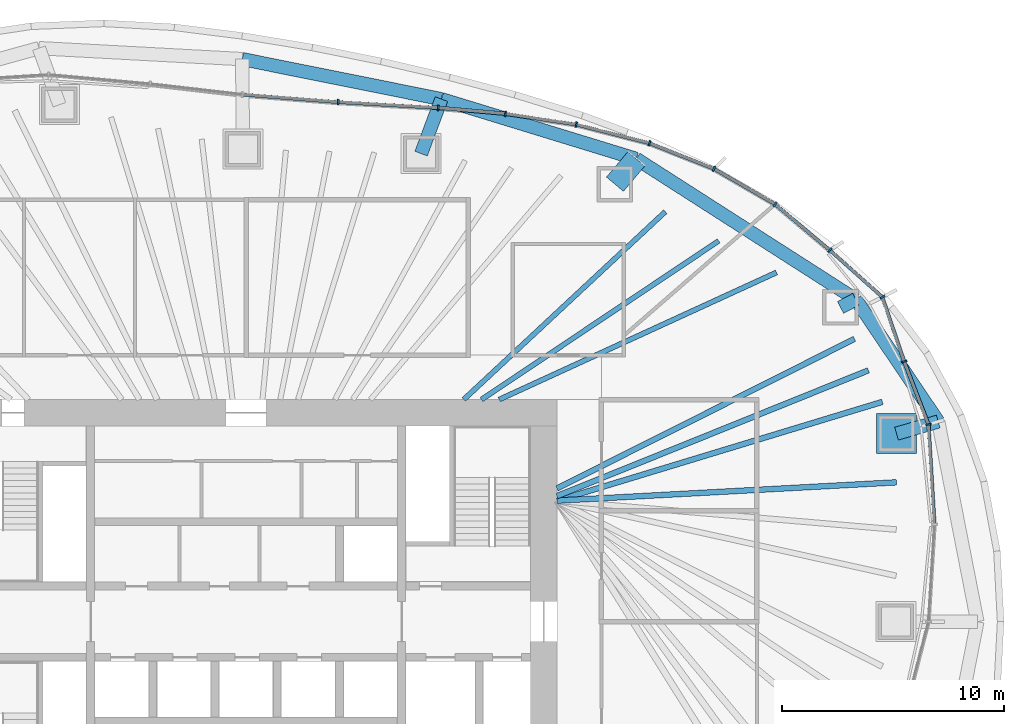
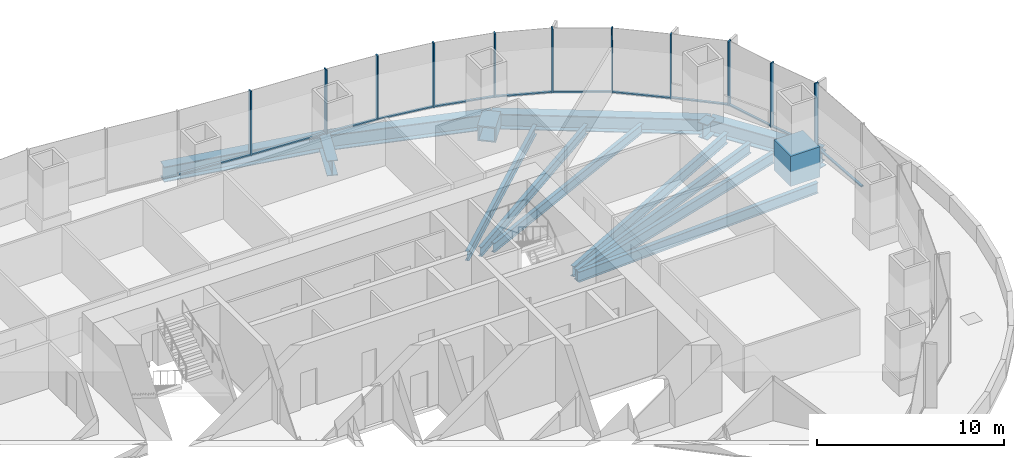
# One storey, part 6 of 20: 24 members, 15 beams, 5 elements without a shape of their own.
"""IFC4 building model written with IfcOpenShell, lengths in metres."""

import ifcopenshell
import ifcopenshell.guid

model = None  # the IFC model being written
_history = None  # IfcOwnerHistory: only IFC2X3 demands one
_inside = {}  # id of a spatial element -> (the spatial element, [elements in it])
_under = {}  # id of a project, library or spatial element -> (it, [spatial elements below it])
_declared = {}  # id of a project -> (the project, [libraries it declares])
_typed = {}  # id of a type object -> (the type object, [elements of that type])
_made_of = {}  # id of a material, layer set ... -> (it, [elements and type objects made of it])


def new_model(schema):
    """Start an empty IFC model of exactly this schema.

    Asked for "IFC4X3", IfcOpenShell would pick the latest addendum, in which some entities
    have other attributes; the version numbers below select the first issue.
    IFC2X3 requires an IfcOwnerHistory on every rooted entity: one is made here for all.
    """
    global model, _history
    if schema == "IFC4X3":
        model = ifcopenshell.file(schema_version=(4, 3, 0, 0))
    else:
        model = ifcopenshell.file(schema=schema)
    _inside.clear()
    _under.clear()
    _declared.clear()
    _typed.clear()
    _made_of.clear()
    _history = None
    if model.schema == "IFC2X3":
        org = make("IfcOrganization", Name="unknown")
        user = make(
            "IfcPersonAndOrganization",
            ThePerson=make("IfcPerson", FamilyName="unknown"),
            TheOrganization=org,
        )
        app = make(
            "IfcApplication",
            ApplicationDeveloper=org,
            Version="unknown",
            ApplicationFullName="unknown",
            ApplicationIdentifier="unknown",
        )
        _history = make(
            "IfcOwnerHistory",
            OwningUser=user,
            OwningApplication=app,
            ChangeAction="ADDED",
            CreationDate=0,
        )
    return model


def make(cls, **values):
    """One entity of the class cls with the attributes given. An attribute that is None is left unset."""
    return model.create_entity(
        cls, **{name: value for name, value in values.items() if value is not None}
    )


def rooted(cls, **values):
    """An entity with a GlobalId (a new one), such as an element, a storey or a relation."""
    return make(cls, GlobalId=ifcopenshell.guid.new(), OwnerHistory=_history, **values)


def si_unit(unit_type, name, prefix=None):
    """IfcSIUnit, for example si_unit("LENGTHUNIT", "METRE", prefix="MILLI")."""
    return make("IfcSIUnit", UnitType=unit_type, Prefix=prefix, Name=name)


def assignment(units):
    """IfcUnitAssignment: the units of a project."""
    return None if units is None else make("IfcUnitAssignment", Units=units)


def point(xyz):
    """IfcCartesianPoint."""
    return None if xyz is None else make("IfcCartesianPoint", Coordinates=xyz)


def direction(xyz):
    """IfcDirection."""
    return None if xyz is None else make("IfcDirection", DirectionRatios=xyz)


def frame(location, z_axis=None, x_axis=None):
    """IfcAxis2Placement3D, a coordinate frame: its origin and axes. An axis left out is left unset."""
    return make(
        "IfcAxis2Placement3D",
        Location=point(location),
        Axis=direction(z_axis),
        RefDirection=direction(x_axis),
    )


def frame_2d(location, x_axis=None):
    """IfcAxis2Placement2D, a coordinate frame in the plane: its origin and x axis."""
    return make(
        "IfcAxis2Placement2D", Location=point(location), RefDirection=direction(x_axis)
    )


def origin():
    """The frame at (0, 0, 0) with its axes left unset."""
    return frame((0.0, 0.0, 0.0))


def origin_2d():
    """The frame at (0, 0) in the plane with its x axis left unset."""
    return frame_2d((0.0, 0.0))


def place(relative_to, where):
    """IfcLocalPlacement: puts the frame where relative to a parent placement (None: the world)."""
    return make(
        "IfcLocalPlacement", PlacementRelTo=relative_to, RelativePlacement=where
    )


def context(
    kind, dimensions, precision=None, world=None, true_north=None, identifier=None
):
    """IfcGeometricRepresentationContext, for example the 3D "Model" context."""
    return make(
        "IfcGeometricRepresentationContext",
        ContextIdentifier=identifier,
        ContextType=kind,
        CoordinateSpaceDimension=dimensions,
        Precision=precision,
        WorldCoordinateSystem=world,
        TrueNorth=true_north,
    )


def subcontext(parent, identifier, kind, view, scale=None):
    """IfcGeometricRepresentationSubContext, for example "Body" below "Model"."""
    return make(
        "IfcGeometricRepresentationSubContext",
        ContextIdentifier=identifier,
        ContextType=kind,
        ParentContext=parent,
        TargetScale=scale,
        TargetView=view,
    )


def project(units=None, contexts=None):
    """IfcProject with its units and contexts."""
    return rooted(
        "IfcProject",
        Name="project",
        RepresentationContexts=contexts,
        UnitsInContext=assignment(units),
    )


def spatial(cls, under=None, at=None, **own):
    """A site, building, storey or space (cls), placed at a placement, below another one or the project."""
    s = rooted(cls, ObjectPlacement=at, **own)
    if under is not None:
        _under.setdefault(under.id(), (under, []))[1].append(s)
    return s


def profile(cls, at=None, kind="AREA", **sizes):
    """A parametric profile (cls). Its sizes go by their IFC names, for example OverallWidth=200.0."""
    return make(cls, ProfileType=kind, Position=at, **sizes)


def rectangle(**sizes):
    """IfcRectangleProfileDef."""
    return profile("IfcRectangleProfileDef", **sizes)


def hollow_rectangle(**sizes):
    """IfcRectangleHollowProfileDef."""
    return profile("IfcRectangleHollowProfileDef", **sizes)


def i_section(**sizes):
    """IfcIShapeProfileDef."""
    return profile("IfcIShapeProfileDef", **sizes)


def extrude(swept, where, along, depth):
    """IfcExtrudedAreaSolid: the profile swept, set in the frame where, extruded along a direction by depth."""
    return make(
        "IfcExtrudedAreaSolid",
        SweptArea=swept,
        Position=where,
        ExtrudedDirection=direction(along),
        Depth=depth,
    )


def boolean(op, a, b):
    """IfcBooleanResult of two solids."""
    return make("IfcBooleanResult", Operator=op, FirstOperand=a, SecondOperand=b)


def shape(context_of_items, identifier, shape_type, items):
    """IfcShapeRepresentation: the items that make up one representation, for example the "Body"."""
    return make(
        "IfcShapeRepresentation",
        ContextOfItems=context_of_items,
        RepresentationIdentifier=identifier,
        RepresentationType=shape_type,
        Items=items,
    )


def material(Name=None, Category=None):
    """IfcMaterial."""
    return make("IfcMaterial", Name=Name, Category=Category)


def material_profile(
    of_material, cross_section, Name=None, Category=None, Priority=None
):
    """IfcMaterialProfile: a cross section and its material."""
    return make(
        "IfcMaterialProfile",
        Name=Name,
        Material=of_material,
        Profile=cross_section,
        Priority=Priority,
        Category=Category,
    )


def profile_set(profiles, Name=None, composite=None):
    """IfcMaterialProfileSet."""
    return make(
        "IfcMaterialProfileSet",
        Name=Name,
        MaterialProfiles=profiles,
        CompositeProfile=composite,
    )


def made_of(thing, what):
    """Note that an element or type object is made of a material, layer set ...; save() writes the relation."""
    if what is not None:
        _made_of.setdefault(what.id(), (what, []))[1].append(thing)
    return thing


def type_object(cls, material=None, **own):
    """A type object (cls), such as IfcWallType, which elements share."""
    return made_of(rooted(cls, **own), material)


def element(
    cls,
    number,
    at=None,
    inside=None,
    cuts=None,
    type_object=None,
    material=None,
    context=None,
    identifier="Body",
    shape_type=None,
    held_by="IfcProductDefinitionShape",
    body=None,
    shapes=None,
    **own,
):
    """One element of the class cls, such as IfcWall. Its Tag is "e" and its number.

    at: its placement. inside: the storey or other place that contains it. cuts: it is an
    opening in that element (IfcRelVoidsElement). A single representation is given by context,
    identifier, shape_type and body (its items); several are given by shapes. held_by: the class
    of the entity that holds the representations. save() writes the other relations.
    """
    e = rooted(cls, Tag="e%d" % number, ObjectPlacement=at, **own)
    if body is not None:
        shapes = [shape(context, identifier, shape_type, body)]
    if shapes is not None:
        e.Representation = make(held_by, Representations=shapes)
    if inside is not None:
        _inside.setdefault(inside.id(), (inside, []))[1].append(e)
    if cuts is not None:
        rooted(
            "IfcRelVoidsElement", RelatingBuildingElement=cuts, RelatedOpeningElement=e
        )
    if type_object is not None:
        _typed.setdefault(type_object.id(), (type_object, []))[1].append(e)
    return made_of(e, material)


def aggregate(whole, parts):
    """IfcRelAggregates: a whole, such as a stair, and the parts it consists of."""
    return rooted("IfcRelAggregates", RelatingObject=whole, RelatedObjects=parts)


def save(model, path):
    """Write the relations noted so far, then the file.

    IfcRelAggregates (storeys below a building ...), IfcRelContainedInSpatialStructure (elements
    in a storey), IfcRelDefinesByType, IfcRelAssociatesMaterial and IfcRelDeclares: one each for
    every whole, place, type object, material and project.
    """
    for whole, parts in _under.values():
        aggregate(whole, parts)
    for where, things in _inside.values():
        rooted(
            "IfcRelContainedInSpatialStructure",
            RelatedElements=things,
            RelatingStructure=where,
        )
    for kind, things in _typed.values():
        rooted("IfcRelDefinesByType", RelatedObjects=things, RelatingType=kind)
    for what, things in _made_of.values():
        rooted("IfcRelAssociatesMaterial", RelatedObjects=things, RelatingMaterial=what)
    for by, libraries in _declared.values():
        rooted("IfcRelDeclares", RelatingContext=by, RelatedDefinitions=libraries)
    model.write(path)


model = new_model("IFC4")

# Units and contexts
model_context = context("Model", 3, precision=1e-05, world=origin(), true_north=direction((0.0, 1.0)))
body_context = subcontext(model_context, "Body", "Model", "MODEL_VIEW")
ifc_project = project(units=[si_unit("LENGTHUNIT", "METRE"), si_unit("AREAUNIT", "SQUARE_METRE"), si_unit("VOLUMEUNIT", "CUBIC_METRE"), si_unit("PLANEANGLEUNIT", "RADIAN"), si_unit("MASSUNIT", "GRAM", prefix="KILO")], contexts=[model_context])

# Site, building, storey
site_placement = place(None, origin())
site = spatial("IfcSite", under=ifc_project, at=site_placement, CompositionType="ELEMENT")
building_placement = place(site_placement, origin())
building = spatial("IfcBuilding", under=site, at=building_placement, Name="Ghaith Harvest Tower", CompositionType="ELEMENT")
storey_placement = place(building_placement, frame((0.0, 0.0, 105.0)))
storey = spatial("IfcBuildingStorey", under=building, at=storey_placement, Name="L21", CompositionType="ELEMENT", Elevation=105.0)

# Curtain wall, members
ifc_material_1 = material(Name="Black anodised aluminium and fritted glass", Category="aluminium")
curtain_wall_type = type_object("IfcCurtainWallType", Name="CW-L CURTAIN WALL", PredefinedType="NOTDEFINED", material=ifc_material_1)
curtain_wall_1_placement = place(storey_placement, origin())
curtain_wall_1 = element("IfcCurtainWall", 1, at=curtain_wall_1_placement, inside=storey, type_object=curtain_wall_type, Name="Curtain wall CW-L bay 02 L21", PredefinedType="NOTDEFINED")
ifc_material_2 = material(Name="Aluminium, black anodised", Category="aluminium")
ifc_material_profile_1 = material_profile(ifc_material_2, rectangle(XDim=0.080078125, YDim=0.239990234375, at=origin_2d()), Name="CW-L MULLION 80x240")
ifc_profile_set_1 = profile_set([ifc_material_profile_1], Name="Aluminium, black anodised")
member_type_1 = type_object("IfcMemberType", Name="CW-L MULLION 80x240", PredefinedType="MULLION", material=ifc_profile_set_1)
member_1_placement = place(storey_placement, frame((30.727294921875, 8.880859375, 0.0), z_axis=(0.0, 0.0, 1.0), x_axis=(-0.183070248196, 0.983099834313, 0.0)))
member_1 = element("IfcMember", 2, at=member_1_placement, type_object=member_type_1, Name="CW-L mullion 1 bay 02 L21", PredefinedType="MULLION", context=body_context, shape_type="SweptSolid", body=[
    extrude(rectangle(XDim=0.080078125, YDim=0.239990234375, at=origin_2d()), origin(), (0.0, 0.0, 1.0), 4.199951171875),
])
member_2_placement = place(storey_placement, frame((29.634521484375, 11.7158203125, 0.0), z_axis=(0.0, 0.0, 1.0), x_axis=(-0.340771198528, 0.940146260033, 0.0)))
member_2 = element("IfcMember", 3, at=member_2_placement, type_object=member_type_1, Name="CW-L mullion 2 bay 02 L21", PredefinedType="MULLION", context=body_context, shape_type="SweptSolid", body=[
    extrude(rectangle(XDim=0.080078125, YDim=0.239990234375, at=origin_2d()), origin(), (0.0, 0.0, 1.0), 4.199951171875),
])
member_3_placement = place(storey_placement, frame((28.64990234375, 14.61181640625, 0.0), z_axis=(0.0, 0.0, 1.0), x_axis=(-0.556324287652, 0.830965274225, 0.0)))
member_3 = element("IfcMember", 4, at=member_3_placement, type_object=member_type_1, Name="CW-L mullion 3 bay 02 L21", PredefinedType="MULLION", context=body_context, shape_type="SweptSolid", body=[
    extrude(rectangle(XDim=0.080078125, YDim=0.239990234375, at=origin_2d()), origin(), (0.0, 0.0, 1.0), 4.199951171875),
])

curtain_wall_2_placement = place(storey_placement, origin())
curtain_wall_2 = element("IfcCurtainWall", 5, at=curtain_wall_2_placement, inside=storey, type_object=curtain_wall_type, Name="Curtain wall CW-L bay 03 L21", PredefinedType="NOTDEFINED")
member_4_placement = place(storey_placement, frame((26.28076171875, 16.725341796875, 0.0), z_axis=(0.0, 0.0, 1.0), x_axis=(-0.755999423268, 0.654572281737, 0.0)))
member_4 = element("IfcMember", 6, at=member_4_placement, type_object=member_type_1, Name="CW-L mullion 1 bay 03 L21", PredefinedType="MULLION", context=body_context, shape_type="SweptSolid", body=[
    extrude(rectangle(XDim=0.080078125, YDim=0.239990234375, at=origin_2d()), origin(), (0.0, 0.0, 1.0), 4.199951171875),
])
member_5_placement = place(storey_placement, frame((23.82177734375, 18.792236328125, 0.0), z_axis=(0.0, 0.0, 1.0), x_axis=(-0.818228862146, 0.574892624018, 0.0)))
member_5 = element("IfcMember", 7, at=member_5_placement, type_object=member_type_1, Name="CW-L mullion 2 bay 03 L21", PredefinedType="MULLION", context=body_context, shape_type="SweptSolid", body=[
    extrude(rectangle(XDim=0.080078125, YDim=0.239990234375, at=origin_2d()), origin(), (0.0, 0.0, 1.0), 4.199951171875),
])
member_6_placement = place(storey_placement, frame((21.066162109375, 20.38916015625, 0.0), z_axis=(0.0, 0.0, 1.0), x_axis=(-0.899713343282, 0.436481270985, 0.0)))
member_6 = element("IfcMember", 8, at=member_6_placement, type_object=member_type_1, Name="CW-L mullion 3 bay 03 L21", PredefinedType="MULLION", context=body_context, shape_type="SweptSolid", body=[
    extrude(rectangle(XDim=0.080078125, YDim=0.239990234375, at=origin_2d()), origin(), (0.0, 0.0, 1.0), 4.199951171875),
])

curtain_wall_3_placement = place(storey_placement, origin())
curtain_wall_3 = element("IfcCurtainWall", 9, at=curtain_wall_3_placement, inside=storey, type_object=curtain_wall_type, Name="Curtain wall CW-L bay 04 L21", PredefinedType="NOTDEFINED")
member_7_placement = place(storey_placement, frame((18.162353515625, 21.537841796875, 0.0), z_axis=(0.0, 0.0, 1.0), x_axis=(-0.952152258113, 0.30562407852, 0.0)))
member_7 = element("IfcMember", 10, at=member_7_placement, type_object=member_type_1, Name="CW-L mullion 1 bay 04 L21", PredefinedType="MULLION", context=body_context, shape_type="SweptSolid", body=[
    extrude(rectangle(XDim=0.080078125, YDim=0.239990234375, at=origin_2d()), origin(), (0.0, 0.0, 1.0), 4.199951171875),
])
member_8_placement = place(storey_placement, frame((14.86474609375, 22.379638671875, 0.0), z_axis=(0.0, 0.0, 1.0), x_axis=(-0.979751952122, 0.200215165041, 0.0)))
member_8 = element("IfcMember", 11, at=member_8_placement, type_object=member_type_1, Name="CW-L mullion 2 bay 04 L21", PredefinedType="MULLION", context=body_context, shape_type="SweptSolid", body=[
    extrude(rectangle(XDim=0.080078125, YDim=0.239990234375, at=origin_2d()), origin(), (0.0, 0.0, 1.0), 4.199951171875),
])
member_9_placement = place(storey_placement, frame((11.672607421875, 22.864013671875, 0.0), z_axis=(0.0, 0.0, 1.0), x_axis=(-0.992800497873, 0.119779678673, 0.0)))
member_9 = element("IfcMember", 12, at=member_9_placement, type_object=member_type_1, Name="CW-L mullion 3 bay 04 L21", PredefinedType="MULLION", context=body_context, shape_type="SweptSolid", body=[
    extrude(rectangle(XDim=0.080078125, YDim=0.239990234375, at=origin_2d()), origin(), (0.0, 0.0, 1.0), 4.199951171875),
])

curtain_wall_4_placement = place(storey_placement, origin())
curtain_wall_4 = element("IfcCurtainWall", 13, at=curtain_wall_4_placement, inside=storey, type_object=curtain_wall_type, Name="Curtain wall CW-L bay 05 L21", PredefinedType="NOTDEFINED")
member_10_placement = place(storey_placement, frame((8.646728515625, 23.1298828125, 0.0), z_axis=(0.0, 0.0, 1.0), x_axis=(-0.997558767319, 0.069831982257, 0.0)))
member_10 = element("IfcMember", 14, at=member_10_placement, type_object=member_type_1, Name="CW-L mullion 1 bay 05 L21", PredefinedType="MULLION", context=body_context, shape_type="SweptSolid", body=[
    extrude(rectangle(XDim=0.080078125, YDim=0.239990234375, at=origin_2d()), origin(), (0.0, 0.0, 1.0), 4.199951171875),
])
member_11_placement = place(storey_placement, frame((4.146728515625, 23.390869140625, 0.0), z_axis=(0.0, 0.0, 1.0), x_axis=(-0.997689895047, 0.067932858925, 0.0)))
member_11 = element("IfcMember", 15, at=member_11_placement, type_object=member_type_1, Name="CW-L mullion 2 bay 05 L21", PredefinedType="MULLION", context=body_context, shape_type="SweptSolid", body=[
    extrude(rectangle(XDim=0.080078125, YDim=0.239990234375, at=origin_2d()), origin(), (0.0, 0.0, 1.0), 4.199951171875),
])

# Curtain wall, member
curtain_wall_5_placement = place(storey_placement, origin())
curtain_wall_5 = element("IfcCurtainWall", 16, at=curtain_wall_5_placement, inside=storey, type_object=curtain_wall_type, Name="Curtain wall CW-L bay 01 L21", PredefinedType="NOTDEFINED")
ifc_material_3 = material(Name="Aluminium, black anodised", Category="aluminium")
ifc_material_profile_2 = material_profile(ifc_material_3, rectangle(XDim=0.14990234375, YDim=0.080078125, at=origin_2d()), Name="CW-L TRANSOM 150x80")
ifc_profile_set_2 = profile_set([ifc_material_profile_2], Name="Aluminium, black anodised")
member_type_2 = type_object("IfcMemberType", Name="CW-L TRANSOM 150x80", PredefinedType="USERDEFINED", material=ifc_profile_set_2)
member_12_placement = place(storey_placement, frame((30.996337890625, 4.4296875, 0.0400390625), z_axis=(-0.060328261132, 0.99817859169, 0.0), x_axis=(-0.99817859169, -0.060328261132, 0.0)))
member_12 = element("IfcMember", 17, at=member_12_placement, type_object=member_type_2, Name="CW-L transom 2 bay 01 L21", ObjectType="TRANSOM", PredefinedType="USERDEFINED", context=body_context, shape_type="SweptSolid", body=[
    extrude(rectangle(XDim=0.14990234375, YDim=0.080078125, at=origin_2d()), origin(), (0.0, 0.0, 1.0), 4.419189453125),
])
aggregate(curtain_wall_5, [member_12])

# Member
member_13_placement = place(storey_placement, frame((30.712890625, 8.918212890625, 0.0400390625), z_axis=(-0.359637050526, 0.933092274048, 0.0), x_axis=(-0.933092274048, -0.359637050526, 0.0)))
member_13 = element("IfcMember", 18, at=member_13_placement, type_object=member_type_2, Name="CW-L transom 1 bay 02 L21", ObjectType="TRANSOM", PredefinedType="USERDEFINED", context=body_context, shape_type="SweptSolid", body=[
    extrude(rectangle(XDim=0.14990234375, YDim=0.080078125, at=origin_2d()), origin(), (0.0, 0.0, 1.0), 2.95849609375),
])

member_14_placement = place(storey_placement, frame((29.62158203125, 11.75390625, 0.0400390625), z_axis=(-0.321877752664, 0.946781237847, 0.0), x_axis=(-0.946781237847, -0.321877752664, 0.0)))
member_14 = element("IfcMember", 19, at=member_14_placement, type_object=member_type_2, Name="CW-L transom 2 bay 02 L21", ObjectType="TRANSOM", PredefinedType="USERDEFINED", context=body_context, shape_type="SweptSolid", body=[
    extrude(rectangle(XDim=0.14990234375, YDim=0.080078125, at=origin_2d()), origin(), (0.0, 0.0, 1.0), 2.978515625),
])

member_15_placement = place(storey_placement, frame((28.6201171875, 14.638427734375, 0.0400390625), z_axis=(-0.74622871112, 0.665689650438, 0.0), x_axis=(-0.665689650438, -0.74622871112, 0.0)))
member_15 = element("IfcMember", 20, at=member_15_placement, type_object=member_type_2, Name="CW-L transom 3 bay 02 L21", ObjectType="TRANSOM", PredefinedType="USERDEFINED", context=body_context, shape_type="SweptSolid", body=[
    extrude(rectangle(XDim=0.14990234375, YDim=0.080078125, at=origin_2d()), origin(), (0.0, 0.0, 1.0), 3.094970703125),
])

aggregate(curtain_wall_1, [member_1, member_13, member_2, member_14, member_3, member_15])

member_16_placement = place(storey_placement, frame((26.25, 16.7509765625, 0.0400390625), z_axis=(-0.765428400685, 0.643521066808, 0.0), x_axis=(-0.643521066808, -0.765428400685, 0.0)))
member_16 = element("IfcMember", 21, at=member_16_placement, type_object=member_type_2, Name="CW-L transom 1 bay 03 L21", ObjectType="TRANSOM", PredefinedType="USERDEFINED", context=body_context, shape_type="SweptSolid", body=[
    extrude(rectangle(XDim=0.14990234375, YDim=0.080078125, at=origin_2d()), origin(), (0.0, 0.0, 1.0), 3.132080078125),
])

member_17_placement = place(storey_placement, frame((23.787353515625, 18.812255859375, 0.0400390625), z_axis=(-0.865212673937, 0.50140505468, 0.0), x_axis=(-0.50140505468, -0.865212673937, 0.0)))
member_17 = element("IfcMember", 22, at=member_17_placement, type_object=member_type_2, Name="CW-L transom 2 bay 03 L21", ObjectType="TRANSOM", PredefinedType="USERDEFINED", context=body_context, shape_type="SweptSolid", body=[
    extrude(rectangle(XDim=0.14990234375, YDim=0.080078125, at=origin_2d()), origin(), (0.0, 0.0, 1.0), 3.10498046875),
])

member_18_placement = place(storey_placement, frame((21.029052734375, 20.40380859375, 0.0400390625), z_axis=(-0.929880954826, 0.367860584804, 0.0), x_axis=(-0.367860584804, -0.929880954826, 0.0)))
member_18 = element("IfcMember", 23, at=member_18_placement, type_object=member_type_2, Name="CW-L transom 3 bay 03 L21", ObjectType="TRANSOM", PredefinedType="USERDEFINED", context=body_context, shape_type="SweptSolid", body=[
    extrude(rectangle(XDim=0.14990234375, YDim=0.080078125, at=origin_2d()), origin(), (0.0, 0.0, 1.0), 3.04296875),
])

aggregate(curtain_wall_2, [member_4, member_16, member_5, member_17, member_6, member_18])

member_19_placement = place(storey_placement, frame((18.12353515625, 21.5478515625, 0.0400390625), z_axis=(-0.968942433805, 0.247286392614, 0.0), x_axis=(-0.247286392614, -0.968942433805, 0.0)))
member_19 = element("IfcMember", 24, at=member_19_placement, type_object=member_type_2, Name="CW-L transom 1 bay 04 L21", ObjectType="TRANSOM", PredefinedType="USERDEFINED", context=body_context, shape_type="SweptSolid", body=[
    extrude(rectangle(XDim=0.14990234375, YDim=0.080078125, at=origin_2d()), origin(), (0.0, 0.0, 1.0), 3.3232421875),
])

member_20_placement = place(storey_placement, frame((14.8251953125, 22.3857421875, 0.0400390625), z_axis=(-0.988680676153, 0.150035064572, 0.0), x_axis=(-0.150035064572, -0.988680676153, 0.0)))
member_20 = element("IfcMember", 25, at=member_20_placement, type_object=member_type_2, Name="CW-L transom 2 bay 04 L21", ObjectType="TRANSOM", PredefinedType="USERDEFINED", context=body_context, shape_type="SweptSolid", body=[
    extrude(rectangle(XDim=0.14990234375, YDim=0.080078125, at=origin_2d()), origin(), (0.0, 0.0, 1.0), 3.148681640625),
])

member_21_placement = place(storey_placement, frame((11.632568359375, 22.86767578125, 0.0400390625), z_axis=(-0.996171193061, 0.087423990507, 0.0), x_axis=(-0.087423990507, -0.996171193061, 0.0)))
member_21 = element("IfcMember", 26, at=member_21_placement, type_object=member_type_2, Name="CW-L transom 3 bay 04 L21", ObjectType="TRANSOM", PredefinedType="USERDEFINED", context=body_context, shape_type="SweptSolid", body=[
    extrude(rectangle(XDim=0.14990234375, YDim=0.080078125, at=origin_2d()), origin(), (0.0, 0.0, 1.0), 2.957275390625),
])

aggregate(curtain_wall_3, [member_7, member_19, member_8, member_20, member_9, member_21])

member_22_placement = place(storey_placement, frame((8.60693359375, 23.132080078125, 0.0400390625), z_axis=(-0.998319515187, 0.057949509028, 0.0), x_axis=(-0.057949509028, -0.998319515187, 0.0)))
member_22 = element("IfcMember", 27, at=member_22_placement, type_object=member_type_2, Name="CW-L transom 1 bay 05 L21", ObjectType="TRANSOM", PredefinedType="USERDEFINED", context=body_context, shape_type="SweptSolid", body=[
    extrude(rectangle(XDim=0.14990234375, YDim=0.080078125, at=origin_2d()), origin(), (0.0, 0.0, 1.0), 4.427734375),
])

member_23_placement = place(storey_placement, frame((4.106689453125, 23.39404296875, 0.0400390625), z_axis=(-0.996923406046, 0.078381901463, 0.0), x_axis=(-0.078381901463, -0.996923406046, 0.0)))
member_23 = element("IfcMember", 28, at=member_23_placement, type_object=member_type_2, Name="CW-L transom 2 bay 05 L21", ObjectType="TRANSOM", PredefinedType="USERDEFINED", context=body_context, shape_type="SweptSolid", body=[
    extrude(rectangle(XDim=0.14990234375, YDim=0.080078125, at=origin_2d()), origin(), (0.0, 0.0, 1.0), 4.2421875),
])

aggregate(curtain_wall_4, [member_10, member_22, member_11, member_23])

# Beams
ifc_material_4 = material(Name="Steel S460", Category="steel")
ifc_material_profile_3 = material_profile(ifc_material_4, i_section(OverallWidth=0.60009765625, OverallDepth=1.0, WebThickness=0.02490234375, FlangeThickness=0.050048828125, at=origin_2d()), Name="PG1000X600X25X50")
ifc_profile_set_3 = profile_set([ifc_material_profile_3], Name="Steel S460")
beam_type_1 = type_object("IfcBeamType", Name="EPG1000 PG1000X600X25X50", PredefinedType="SPANDREL", material=ifc_profile_set_3)
beam_1_placement = place(storey_placement, frame((31.16552734375, 9.007568359375, -0.77490234375), z_axis=(-0.559739355776, 0.828668723674, 0.0), x_axis=(-0.828668723674, -0.559739355776, 0.0)))
element("IfcBeam", 29, at=beam_1_placement, inside=storey, type_object=beam_type_1, Name="Setback edge beam E02 L21", PredefinedType="SPANDREL", context=body_context, shape_type="SweptSolid", body=[
    extrude(i_section(OverallWidth=0.60009765625, OverallDepth=1.0, WebThickness=0.02490234375, FlangeThickness=0.050048828125, at=origin_2d()), origin(), (0.0, 0.0, 1.0), 6.638916015625),
])
beam_2_placement = place(storey_placement, frame((27.449462890625, 14.509033203125, -0.77490234375), z_axis=(-0.842013912488, 0.539455810217, 0.0), x_axis=(-0.539455810217, -0.842013912488, 0.0)))
element("IfcBeam", 30, at=beam_2_placement, inside=storey, type_object=beam_type_1, Name="Setback edge beam E03 L21", PredefinedType="SPANDREL", context=body_context, shape_type="SweptSolid", body=[
    extrude(i_section(OverallWidth=0.60009765625, OverallDepth=1.0, WebThickness=0.02490234375, FlangeThickness=0.050048828125, at=origin_2d()), origin(), (0.0, 0.0, 1.0), 11.73095703125),
])
beam_3_placement = place(storey_placement, frame((17.57177734375, 20.83740234375, -0.77490234375), z_axis=(-0.956116511537, 0.292986717046, 0.0), x_axis=(-0.292986717046, -0.956116511537, 0.0)))
element("IfcBeam", 31, at=beam_3_placement, inside=storey, type_object=beam_type_1, Name="Setback edge beam E04 L21", PredefinedType="SPANDREL", context=body_context, shape_type="SweptSolid", body=[
    extrude(i_section(OverallWidth=0.60009765625, OverallDepth=1.0, WebThickness=0.02490234375, FlangeThickness=0.050048828125, at=origin_2d()), origin(), (0.0, 0.0, 1.0), 9.179443359375),
])
beam_4_placement = place(storey_placement, frame((8.795166015625, 23.52685546875, -0.77490234375), z_axis=(-0.98044185035, 0.196808988825, 0.0), x_axis=(-0.196808988825, -0.98044185035, 0.0)))
element("IfcBeam", 32, at=beam_4_placement, inside=storey, type_object=beam_type_1, Name="Setback edge beam E05 L21", PredefinedType="SPANDREL", context=body_context, shape_type="SweptSolid", body=[
    extrude(i_section(OverallWidth=0.60009765625, OverallDepth=1.0, WebThickness=0.02490234375, FlangeThickness=0.050048828125, at=origin_2d()), origin(), (0.0, 0.0, 1.0), 9.1474609375),
])
ifc_material_5 = material(Name="Steel S460M", Category="steel")
ifc_material_profile_4 = material_profile(ifc_material_5, hollow_rectangle(XDim=1.0, YDim=1.0, WallThickness=0.080078125, at=origin_2d()), Name="BOX1000X1000X80")
ifc_profile_set_4 = profile_set([ifc_material_profile_4], Name="Steel S460M")
beam_type_2 = type_object("IfcBeamType", Name="GB1000 BOX1000X1000X80", PredefinedType="BEAM", material=ifc_profile_set_4)
beam_5_placement = place(storey_placement, frame((16.60791015625, 19.695068359375, -0.77490234375), z_axis=(0.644879884385, 0.764283935927, 0.0), x_axis=(-0.764283935927, 0.644879884385, 0.0)))
element("IfcBeam", 33, at=beam_5_placement, inside=storey, type_object=beam_type_2, Name="Setback cantilever G04 L21", PredefinedType="BEAM", context=body_context, shape_type="SweptSolid", body=[
    extrude(hollow_rectangle(XDim=1.0, YDim=1.0, WallThickness=0.080078125, at=origin_2d()), origin(), (0.0, 0.0, 1.0), 1.49462890625),
])
ifc_material_6 = material(Name="Steel S460", Category="steel")
ifc_material_profile_5 = material_profile(ifc_material_6, i_section(OverallWidth=0.60009765625, OverallDepth=1.0, WebThickness=0.02490234375, FlangeThickness=0.050048828125, at=origin_2d()), Name="PG1000X600X25X50")
ifc_profile_set_5 = profile_set([ifc_material_profile_5], Name="Steel S460")
beam_type_3 = type_object("IfcBeamType", Name="GPG1000 PG1000X600X25X50", PredefinedType="BEAM", material=ifc_profile_set_5)
beam_6_placement = place(storey_placement, frame((29.285888671875, 8.464111328125, -0.77490234375), z_axis=(0.960652794893, 0.277752061493, 0.0), x_axis=(-0.277752061493, 0.960652794893, 0.0)))
element("IfcBeam", 34, at=beam_6_placement, inside=storey, type_object=beam_type_3, Name="Setback cantilever G02 L21", PredefinedType="BEAM", context=body_context, shape_type="SweptSolid", body=[
    extrude(i_section(OverallWidth=0.60009765625, OverallDepth=1.0, WebThickness=0.02490234375, FlangeThickness=0.050048828125, at=origin_2d()), origin(), (0.0, 0.0, 1.0), 1.95654296875),
])
beam_7_placement = place(storey_placement, frame((26.763916015625, 14.14697265625, -0.77490234375), z_axis=(0.884254727372, 0.467004900532, 0.0), x_axis=(-0.467004900532, 0.884254727372, 0.0)))
element("IfcBeam", 35, at=beam_7_placement, inside=storey, type_object=beam_type_3, Name="Setback cantilever G03 L21", PredefinedType="BEAM", context=body_context, shape_type="SweptSolid", body=[
    extrude(i_section(OverallWidth=0.60009765625, OverallDepth=1.0, WebThickness=0.02490234375, FlangeThickness=0.050048828125, at=origin_2d()), origin(), (0.0, 0.0, 1.0), 0.775390625),
])
beam_8_placement = place(storey_placement, frame((7.8779296875, 21.072021484375, -0.77490234375), z_axis=(0.350010352079, 0.936745831823, 0.0), x_axis=(-0.936745831823, 0.350010352079, 0.0)))
element("IfcBeam", 36, at=beam_8_placement, inside=storey, type_object=beam_type_3, Name="Setback cantilever G05 L21", PredefinedType="BEAM", context=body_context, shape_type="SweptSolid", body=[
    extrude(i_section(OverallWidth=0.60009765625, OverallDepth=1.0, WebThickness=0.02490234375, FlangeThickness=0.050048828125, at=origin_2d()), origin(), (0.0, 0.0, 1.0), 2.62060546875),
])
ifc_material_7 = material(Name="Steel ASTM A992 Grade 50", Category="steel")
ifc_material_profile_6 = material_profile(ifc_material_7, i_section(OverallWidth=0.22900390625, OverallDepth=0.612060546875, WebThickness=0.011962890625, FlangeThickness=0.01953125, at=origin_2d()), Name="W610X125")
ifc_profile_set_6 = profile_set([ifc_material_profile_6], Name="Steel ASTM A992 Grade 50")
beam_type_4 = type_object("IfcBeamType", Name="J610-125 W610X125", PredefinedType="JOIST", material=ifc_profile_set_6)
beam_9_placement = place(storey_placement, frame((11.39990234375, 10.0, -0.47607421875), z_axis=(0.909014022454, 0.416765529983, 0.0), x_axis=(-0.416765529983, 0.909014022454, 0.0)))
element("IfcBeam", 37, at=beam_9_placement, inside=storey, type_object=beam_type_4, Name="Joist J03.1 L21", PredefinedType="JOIST", context=body_context, shape_type="SweptSolid", body=[
    extrude(i_section(OverallWidth=0.22900390625, OverallDepth=0.612060546875, WebThickness=0.011962890625, FlangeThickness=0.01953125, at=origin_2d()), origin(), (0.0, 0.0, 1.0), 13.72998046875),
])
beam_10_placement = place(storey_placement, frame((10.60009765625, 10.0, -0.47607421875), z_axis=(0.831116486766, 0.556098359489, 0.0), x_axis=(-0.556098359489, 0.831116486766, 0.0)))
element("IfcBeam", 38, at=beam_10_placement, inside=storey, type_object=beam_type_4, Name="Joist J03.2 L21", PredefinedType="JOIST", context=body_context, shape_type="SweptSolid", body=[
    extrude(i_section(OverallWidth=0.22900390625, OverallDepth=0.612060546875, WebThickness=0.011962890625, FlangeThickness=0.01953125, at=origin_2d()), origin(), (0.0, 0.0, 1.0), 12.84716796875),
])
beam_11_placement = place(storey_placement, frame((9.800048828125, 10.0, -0.47607421875), z_axis=(0.731538123562, 0.681800538116, 0.0), x_axis=(-0.681800538116, 0.731538123562, 0.0)))
element("IfcBeam", 39, at=beam_11_placement, inside=storey, type_object=beam_type_4, Name="Joist J03.3 L21", PredefinedType="JOIST", context=body_context, shape_type="SweptSolid", body=[
    extrude(i_section(OverallWidth=0.22900390625, OverallDepth=0.612060546875, WebThickness=0.011962890625, FlangeThickness=0.01953125, at=origin_2d()), origin(), (0.0, 0.0, 1.0), 12.404052734375),
])
ifc_material_8 = material(Name="Steel ASTM A992 Grade 50", Category="steel")
ifc_material_profile_7 = material_profile(ifc_material_8, i_section(OverallWidth=0.25390625, OverallDepth=0.68408203125, WebThickness=0.012451171875, FlangeThickness=0.018798828125, at=origin_2d()), Name="W690X140")
ifc_profile_set_7 = profile_set([ifc_material_profile_7], Name="Steel ASTM A992 Grade 50")
beam_type_5 = type_object("IfcBeamType", Name="J690-140 W690X140", PredefinedType="JOIST", material=ifc_profile_set_7)
beam_12_placement = place(storey_placement, frame((14.0, 5.4462890625, -0.511962890625), z_axis=(0.998543876523, 0.053945589801, 0.0), x_axis=(-0.053945589801, 0.998543876523, 0.0)))
element("IfcBeam", 40, at=beam_12_placement, inside=storey, type_object=beam_type_5, Name="Joist J01.3 L21", PredefinedType="JOIST", context=body_context, shape_type="SweptSolid", body=[
    extrude(i_section(OverallWidth=0.25390625, OverallDepth=0.68408203125, WebThickness=0.012451171875, FlangeThickness=0.018798828125, at=origin_2d()), origin(), (0.0, 0.0, 1.0), 15.30126953125),
])
beam_13_placement = place(storey_placement, frame((14.0, 5.4462890625, -0.511962890625), z_axis=(0.956839412135, 0.290617169804, 0.0), x_axis=(-0.290617169804, 0.956839412135, 0.0)))
element("IfcBeam", 41, at=beam_13_placement, inside=storey, type_object=beam_type_5, Name="Joist J02.1 L21", PredefinedType="JOIST", context=body_context, shape_type="SweptSolid", body=[
    extrude(i_section(OverallWidth=0.25390625, OverallDepth=0.68408203125, WebThickness=0.012451171875, FlangeThickness=0.018798828125, at=origin_2d()), origin(), (0.0, 0.0, 1.0), 15.311279296875),
])
beam_14_placement = place(storey_placement, frame((14.0, 5.653564453125, -0.511962890625), z_axis=(0.927247874511, 0.374448099495, 0.0), x_axis=(-0.374448099495, 0.927247874511, 0.0)))
element("IfcBeam", 42, at=beam_14_placement, inside=storey, type_object=beam_type_5, Name="Joist J02.2 L21", PredefinedType="JOIST", context=body_context, shape_type="SweptSolid", body=[
    extrude(i_section(OverallWidth=0.25390625, OverallDepth=0.68408203125, WebThickness=0.012451171875, FlangeThickness=0.018798828125, at=origin_2d()), origin(), (0.0, 0.0, 1.0), 15.12060546875),
])
beam_15_placement = place(storey_placement, frame((14.0, 6.0, -0.511962890625), z_axis=(0.893536072457, 0.448991411074, 0.0), x_axis=(-0.448991411074, 0.893536072457, 0.0)))
element("IfcBeam", 43, at=beam_15_placement, inside=storey, type_object=beam_type_5, Name="Joist J02.3 L21", PredefinedType="JOIST", context=body_context, shape_type="SweptSolid", body=[
    extrude(i_section(OverallWidth=0.25390625, OverallDepth=0.68408203125, WebThickness=0.012451171875, FlangeThickness=0.018798828125, at=origin_2d()), origin(), (0.0, 0.0, 1.0), 14.988525390625),
])

# Member
ifc_material_9 = material(Name="Steel S690QL", Category="steel")
ifc_material_profile_8 = material_profile(ifc_material_9, hollow_rectangle(XDim=1.800048828125, YDim=1.800048828125, WallThickness=0.14990234375, at=origin_2d()), Name="BOX1800X1800X150")
ifc_profile_set_8 = profile_set([ifc_material_profile_8], Name="Steel S690QL")
member_type_3 = type_object("IfcMemberType", Name="KN3 BOX1800X1800X150", PredefinedType="USERDEFINED", material=ifc_profile_set_8)
member_24_placement = place(storey_placement, frame((29.285888671875, 8.464111328125, -0.97509765625), z_axis=(0.0, 0.0, 1.0), x_axis=(1.0, 0.0, 0.0)))
element("IfcMember", 44, at=member_24_placement, inside=storey, type_object=member_type_3, Name="Raked column kink node C02 head L20", ObjectType="KINK NODE", PredefinedType="USERDEFINED", context=body_context, shape_type="CSG", body=[
    boolean("UNION", extrude(hollow_rectangle(XDim=1.800048828125, YDim=1.800048828125, WallThickness=0.14990234375, at=origin_2d()), origin(), (0.0, 0.0, 1.0), 1.9501953125), extrude(rectangle(XDim=1.800048828125, YDim=1.800048828125, at=origin_2d()), frame((0.0, 0.0, 1.9501953125)), (0.0, 0.0, 1.0), 0.02490234375)),
])

save(model, "model.ifc")
